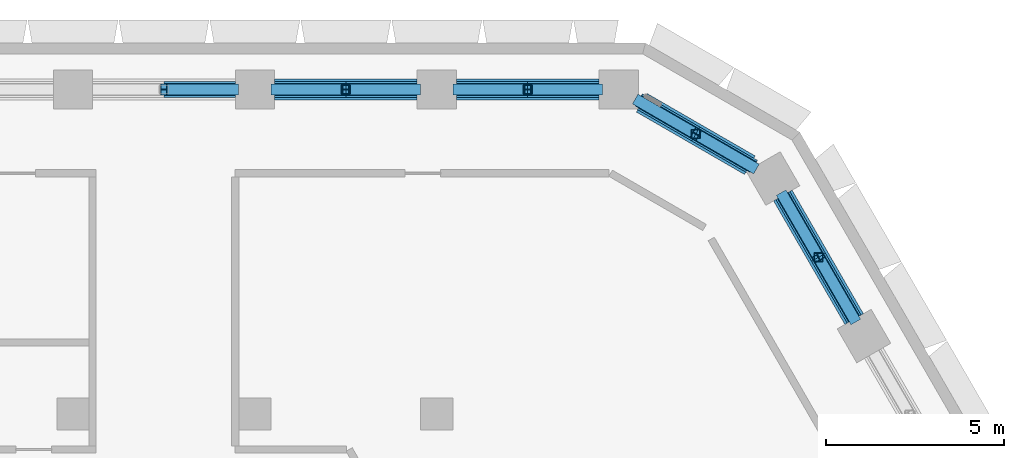
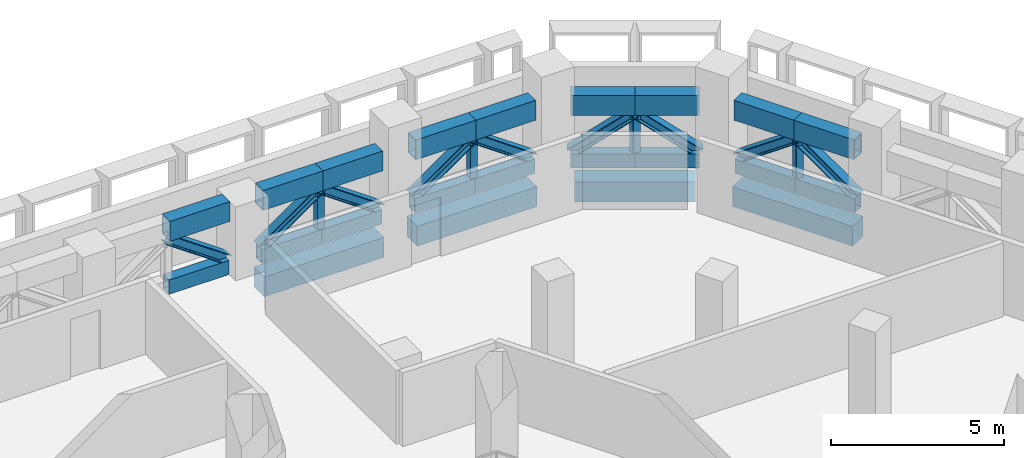
# One storey, part 9 of 22: 31 members, 4 beams.
"""IFC4 building model written with IfcOpenShell, lengths in metres."""

from ifc_helpers import new_model, si_unit, direction, frame, origin, origin_2d, place, context, subcontext, project, spatial, rectangle, hollow_rectangle, i_section, extrude, material, material_profile, profile_set, type_object, element, save


model = new_model("IFC4")

# Units and contexts
model_context = context("Model", 3, precision=1e-05, world=origin(), true_north=direction((0.0, 1.0)))
body_context = subcontext(model_context, "Body", "Model", "MODEL_VIEW")
ifc_project = project(units=[si_unit("LENGTHUNIT", "METRE"), si_unit("AREAUNIT", "SQUARE_METRE"), si_unit("VOLUMEUNIT", "CUBIC_METRE"), si_unit("PLANEANGLEUNIT", "RADIAN"), si_unit("MASSUNIT", "GRAM", prefix="KILO")], contexts=[model_context])

# Site, building, storey
site_placement = place(None, origin())
site = spatial("IfcSite", under=ifc_project, at=site_placement, CompositionType="ELEMENT")
building_placement = place(site_placement, origin())
building = spatial("IfcBuilding", under=site, at=building_placement, Name="Beryl Residences", CompositionType="ELEMENT")
storey_placement = place(building_placement, frame((0.0, 0.0, 62.39990234375)))
storey = spatial("IfcBuildingStorey", under=building, at=storey_placement, Name="L19", CompositionType="ELEMENT", Elevation=62.39990234375)

# Members
ifc_material_1 = material(Name="Steel S355", Category="steel")
ifc_material_profile_1 = material_profile(ifc_material_1, hollow_rectangle(XDim=0.35009765625, YDim=0.5, WallThickness=0.02490234375, at=origin_2d()))
ifc_profile_set_1 = profile_set([ifc_material_profile_1], Name="Steel S355")
member_type_1 = type_object("IfcMemberType", Name="BB1 belt truss bottom chord WB 500x350x25", PredefinedType="CHORD", material=ifc_profile_set_1)
for number, where, z_axis, x_axis, name in (
    (1, (12.208984375, 27.10009765625, 0.25), (-1.0, 0.0, 0.0), (0.0, -1.0, 0.0), "Belt truss BB1-N-0a L19"),
    (2, (10.20703125, 27.10009765625, 0.25), (-1.0, 0.0, 0.0), (0.0, -1.0, 0.0), "Belt truss BB1-N-0b L19"),
    (3, (7.10498046875, 27.10009765625, 0.25), (-1.0, 0.0, 0.0), (0.0, -1.0, 0.0), "Belt truss BB1-N-1a L19"),
    (4, (5.10302734375, 27.10009765625, 0.25), (-1.0, 0.0, 0.0), (0.0, -1.0, 0.0), "Belt truss BB1-N-1b L19"),
    (5, (2.0009765625, 27.10009765625, 0.25), (-1.0, 0.0, 0.0), (0.0, -1.0, 0.0), "Belt truss BB1-N-2a L19"),
):
    element("IfcMember", number, at=place(storey_placement, frame(where, z_axis=z_axis, x_axis=x_axis)), inside=storey, type_object=member_type_1, Name=name, PredefinedType="CHORD", context=body_context, shape_type="SweptSolid", body=[
        extrude(hollow_rectangle(XDim=0.35009765625, YDim=0.5, WallThickness=0.02490234375, at=origin_2d()), origin(), (0.0, 0.0, 1.0), 2.001953125),
    ])
for number, where, z_axis, x_axis, name in (
    (6, (19.365966796875, 20.656982421875, 0.25), (-0.499915960366, 0.866073918653, 0.0), (-0.866073918653, -0.499915960366, 0.0), "Belt truss BB1-NE-4a L19"),
    (7, (18.364990234375, 22.39111328125, 0.25), (-0.499968756647, 0.866043441391, 0.0), (-0.866043441391, -0.499968756647, 0.0), "Belt truss BB1-NE-4b L19"),
):
    element("IfcMember", number, at=place(storey_placement, frame(where, z_axis=z_axis, x_axis=x_axis)), inside=storey, type_object=member_type_1, Name=name, PredefinedType="CHORD", context=body_context, shape_type="SweptSolid", body=[
        extrude(hollow_rectangle(XDim=0.35009765625, YDim=0.5, WallThickness=0.02490234375, at=origin_2d()), origin(), (0.0, 0.0, 1.0), 2.002197265625),
    ])
member_1_placement = place(storey_placement, frame((16.5390625, 24.91796875, 0.25), z_axis=(-0.865865073245, 0.500277597875, 0.0), x_axis=(-0.500277597875, -0.865865073245, 0.0)))
element("IfcMember", 8, at=member_1_placement, inside=storey, type_object=member_type_1, Name="Belt truss BB1-NE-5a L19", PredefinedType="CHORD", context=body_context, shape_type="SweptSolid", body=[
    extrude(hollow_rectangle(XDim=0.35009765625, YDim=0.5, WallThickness=0.02490234375, at=origin_2d()), origin(), (0.0, 0.0, 1.0), 1.865234375),
])
member_2_placement = place(storey_placement, frame((14.924072265625, 25.85107421875, 0.25), z_axis=(-0.866148526014, 0.499786685381, 0.0), x_axis=(-0.499786685381, -0.866148526014, 0.0)))
element("IfcMember", 9, at=member_2_placement, inside=storey, type_object=member_type_1, Name="Belt truss BB1-NE-5b L19", PredefinedType="CHORD", context=body_context, shape_type="SweptSolid", body=[
    extrude(hollow_rectangle(XDim=0.35009765625, YDim=0.5, WallThickness=0.02490234375, at=origin_2d()), origin(), (0.0, 0.0, 1.0), 1.864501953125),
])
ifc_material_2 = material(Name="Steel S355", Category="steel")
ifc_material_profile_2 = material_profile(ifc_material_2, i_section(OverallWidth=0.31103515625, OverallDepth=0.326904296875, WebThickness=0.015625, FlangeThickness=0.02490234375, FilletRadius=0.0166015625, at=origin_2d()))
ifc_profile_set_2 = profile_set([ifc_material_profile_2], Name="Steel S355")
member_type_2 = type_object("IfcMemberType", Name="BD1 belt truss diagonal 310UC158", PredefinedType="BRACE", material=ifc_profile_set_2)
for number, where, z_axis, x_axis, name in (
    (10, (12.208984375, 27.10009765625, 0.5), (-0.81946659841, 0.0, 0.573126944132), (0.0, -1.0, 0.0), "Belt truss BD1-N-0a L19"),
    (11, (8.205078125, 27.10009765625, 0.5), (0.81946659841, 0.0, 0.573126944132), (0.0, 1.0, 0.0), "Belt truss BD1-N-0b L19"),
    (12, (7.10498046875, 27.10009765625, 0.5), (-0.81946659841, 0.0, 0.573126944132), (0.0, -1.0, 0.0), "Belt truss BD1-N-1a L19"),
    (13, (3.10107421875, 27.10009765625, 0.5), (0.81946659841, 0.0, 0.573126944132), (0.0, 1.0, 0.0), "Belt truss BD1-N-1b L19"),
    (14, (2.0009765625, 27.10009765625, 0.5), (-0.81946659841, 0.0, 0.573126944132), (0.0, -1.0, 0.0), "Belt truss BD1-N-2a L19"),
):
    element("IfcMember", number, at=place(storey_placement, frame(where, z_axis=z_axis, x_axis=x_axis)), inside=storey, type_object=member_type_2, Name=name, PredefinedType="BRACE", context=body_context, shape_type="SweptSolid", body=[
        extrude(i_section(OverallWidth=0.31103515625, OverallDepth=0.326904296875, WebThickness=0.015625, FlangeThickness=0.02490234375, FilletRadius=0.0166015625, at=origin_2d()), origin(), (0.0, 0.0, 1.0), 2.443115234375),
    ])
member_3_placement = place(storey_placement, frame((19.365966796875, 20.656982421875, 0.5), z_axis=(-0.409687048976, 0.709757831433, 0.573062250214), x_axis=(-0.866073918653, -0.499915960366, 0.0)))
element("IfcMember", 15, at=member_3_placement, inside=storey, type_object=member_type_2, Name="Belt truss BD1-NE-4a L19", PredefinedType="BRACE", context=body_context, shape_type="SweptSolid", body=[
    extrude(i_section(OverallWidth=0.31103515625, OverallDepth=0.326904296875, WebThickness=0.015625, FlangeThickness=0.02490234375, FilletRadius=0.0166015625, at=origin_2d()), origin(), (0.0, 0.0, 1.0), 2.443359375),
])
member_4_placement = place(storey_placement, frame((17.364013671875, 24.125, 0.5), z_axis=(0.409716105686, -0.709708239654, 0.573102894173), x_axis=(0.866043441391, 0.499968756647, 0.0)))
element("IfcMember", 16, at=member_4_placement, inside=storey, type_object=member_type_2, Name="Belt truss BD1-NE-4b L19", PredefinedType="BRACE", context=body_context, shape_type="SweptSolid", body=[
    extrude(i_section(OverallWidth=0.31103515625, OverallDepth=0.326904296875, WebThickness=0.015625, FlangeThickness=0.02490234375, FilletRadius=0.0166015625, at=origin_2d()), origin(), (0.0, 0.0, 1.0), 2.443115234375),
])
member_5_placement = place(storey_placement, frame((16.5390625, 24.91796875, 0.5), z_axis=(-0.692466575512, 0.400091799185, 0.60034706131), x_axis=(-0.500277597875, -0.865865073245, 0.0)))
element("IfcMember", 17, at=member_5_placement, inside=storey, type_object=member_type_2, Name="Belt truss BD1-NE-5a L19", PredefinedType="BRACE", context=body_context, shape_type="SweptSolid", body=[
    extrude(i_section(OverallWidth=0.31103515625, OverallDepth=0.326904296875, WebThickness=0.015625, FlangeThickness=0.02490234375, FilletRadius=0.0166015625, at=origin_2d()), origin(), (0.0, 0.0, 1.0), 2.332275390625),
])
member_6_placement = place(storey_placement, frame((13.30908203125, 26.782958984375, 0.5), z_axis=(0.692611535994, -0.39965203823, 0.600472737555), x_axis=(0.499786685381, 0.866148526014, 0.0)))
element("IfcMember", 18, at=member_6_placement, inside=storey, type_object=member_type_2, Name="Belt truss BD1-NE-5b L19", PredefinedType="BRACE", context=body_context, shape_type="SweptSolid", body=[
    extrude(i_section(OverallWidth=0.31103515625, OverallDepth=0.326904296875, WebThickness=0.015625, FlangeThickness=0.02490234375, FilletRadius=0.0166015625, at=origin_2d()), origin(), (0.0, 0.0, 1.0), 2.331787109375),
])
ifc_material_3 = material(Name="Steel S355", Category="steel")
ifc_material_profile_3 = material_profile(ifc_material_3, hollow_rectangle(XDim=0.25, YDim=0.25, WallThickness=0.009033203125, InnerFilletRadius=0.009033203125, OuterFilletRadius=0.01806640625, at=origin_2d()))
ifc_profile_set_3 = profile_set([ifc_material_profile_3], Name="Steel S355")
member_type_3 = type_object("IfcMemberType", Name="BQ1 belt truss post SHS 250x250x9", PredefinedType="POST", material=ifc_profile_set_3)
for number, where, z_axis, x_axis, name in (
    (19, (10.20703125, 27.10009765625, 0.5), (0.0, 0.0, 1.0), (1.0, 0.0, 0.0), "Belt truss BQ1-N-0 L19"),
    (20, (5.10302734375, 27.10009765625, 0.5), (0.0, 0.0, 1.0), (1.0, 0.0, 0.0), "Belt truss BQ1-N-1 L19"),
    (21, (18.364990234375, 22.39111328125, 0.5), (0.0, 0.0, 1.0), (1.0, 0.0, 0.0), "Belt truss BQ1-NE-4 L19"),
    (22, (14.924072265625, 25.85107421875, 0.5), (0.0, 0.0, 1.0), (1.0, 0.0, 0.0), "Belt truss BQ1-NE-5 L19"),
):
    element("IfcMember", number, at=place(storey_placement, frame(where, z_axis=z_axis, x_axis=x_axis)), inside=storey, type_object=member_type_3, Name=name, PredefinedType="POST", context=body_context, shape_type="SweptSolid", body=[
        extrude(hollow_rectangle(XDim=0.25, YDim=0.25, WallThickness=0.009033203125, InnerFilletRadius=0.009033203125, OuterFilletRadius=0.01806640625, at=origin_2d()), origin(), (0.0, 0.0, 1.0), 1.400146484375),
    ])
ifc_material_4 = material(Name="Steel S355", Category="steel")
ifc_material_profile_4 = material_profile(ifc_material_4, hollow_rectangle(XDim=0.449951171875, YDim=0.699951171875, WallThickness=0.034912109375, at=origin_2d()))
ifc_profile_set_4 = profile_set([ifc_material_profile_4], Name="Steel S355")
member_type_4 = type_object("IfcMemberType", Name="BT1 belt truss top chord WB 700x450x35", PredefinedType="CHORD", material=ifc_profile_set_4)
for number, where, z_axis, x_axis, name in (
    (23, (12.208984375, 27.10009765625, 2.25), (-1.0, 0.0, 0.0), (0.0, -1.0, 0.0), "Belt truss BT1-N-0a L19"),
    (24, (10.20703125, 27.10009765625, 2.25), (-1.0, 0.0, 0.0), (0.0, -1.0, 0.0), "Belt truss BT1-N-0b L19"),
    (25, (7.10498046875, 27.10009765625, 2.25), (-1.0, 0.0, 0.0), (0.0, -1.0, 0.0), "Belt truss BT1-N-1a L19"),
    (26, (5.10302734375, 27.10009765625, 2.25), (-1.0, 0.0, 0.0), (0.0, -1.0, 0.0), "Belt truss BT1-N-1b L19"),
    (27, (2.0009765625, 27.10009765625, 2.25), (-1.0, 0.0, 0.0), (0.0, -1.0, 0.0), "Belt truss BT1-N-2a L19"),
):
    element("IfcMember", number, at=place(storey_placement, frame(where, z_axis=z_axis, x_axis=x_axis)), inside=storey, type_object=member_type_4, Name=name, PredefinedType="CHORD", context=body_context, shape_type="SweptSolid", body=[
        extrude(hollow_rectangle(XDim=0.449951171875, YDim=0.699951171875, WallThickness=0.034912109375, at=origin_2d()), origin(), (0.0, 0.0, 1.0), 2.001953125),
    ])
for number, where, z_axis, x_axis, name in (
    (28, (19.365966796875, 20.656982421875, 2.25), (-0.499915960366, 0.866073918653, 0.0), (-0.866073918653, -0.499915960366, 0.0), "Belt truss BT1-NE-4a L19"),
    (29, (18.364990234375, 22.39111328125, 2.25), (-0.499968756647, 0.866043441391, 0.0), (-0.866043441391, -0.499968756647, 0.0), "Belt truss BT1-NE-4b L19"),
):
    element("IfcMember", number, at=place(storey_placement, frame(where, z_axis=z_axis, x_axis=x_axis)), inside=storey, type_object=member_type_4, Name=name, PredefinedType="CHORD", context=body_context, shape_type="SweptSolid", body=[
        extrude(hollow_rectangle(XDim=0.449951171875, YDim=0.699951171875, WallThickness=0.034912109375, at=origin_2d()), origin(), (0.0, 0.0, 1.0), 2.002197265625),
    ])
member_7_placement = place(storey_placement, frame((16.5390625, 24.91796875, 2.25), z_axis=(-0.865865073245, 0.500277597875, 0.0), x_axis=(-0.500277597875, -0.865865073245, 0.0)))
element("IfcMember", 30, at=member_7_placement, inside=storey, type_object=member_type_4, Name="Belt truss BT1-NE-5a L19", PredefinedType="CHORD", context=body_context, shape_type="SweptSolid", body=[
    extrude(hollow_rectangle(XDim=0.449951171875, YDim=0.699951171875, WallThickness=0.034912109375, at=origin_2d()), origin(), (0.0, 0.0, 1.0), 1.865234375),
])
member_8_placement = place(storey_placement, frame((14.924072265625, 25.85107421875, 2.25), z_axis=(-0.866148526014, 0.499786685381, 0.0), x_axis=(-0.499786685381, -0.866148526014, 0.0)))
element("IfcMember", 31, at=member_8_placement, inside=storey, type_object=member_type_4, Name="Belt truss BT1-NE-5b L19", PredefinedType="CHORD", context=body_context, shape_type="SweptSolid", body=[
    extrude(hollow_rectangle(XDim=0.449951171875, YDim=0.699951171875, WallThickness=0.034912109375, at=origin_2d()), origin(), (0.0, 0.0, 1.0), 1.864501953125),
])

# Beams
ifc_material_5 = material(Name="Concrete C80/95", Category="concrete")
ifc_material_profile_5 = material_profile(ifc_material_5, rectangle(XDim=0.60009765625, YDim=0.699951171875, at=origin_2d()))
ifc_profile_set_5 = profile_set([ifc_material_profile_5], Name="Concrete C80/95")
beam_type = type_object("IfcBeamType", Name="SB1 spandrel beam 600 x 700 C80/95", PredefinedType="SPANDREL", material=ifc_profile_set_5)
for number, where, z_axis, x_axis, name in (
    (32, (12.208984375, 27.10009765625, -0.75), (-1.0, 0.0, 0.0), (0.0, -1.0, 0.0), "SB1 L19 N-0"),
    (33, (7.10498046875, 27.10009765625, -0.75), (-1.0, 0.0, 0.0), (0.0, -1.0, 0.0), "SB1 L19 N-1"),
):
    element("IfcBeam", number, at=place(storey_placement, frame(where, z_axis=z_axis, x_axis=x_axis)), inside=storey, type_object=beam_type, Name=name, PredefinedType="SPANDREL", context=body_context, shape_type="SweptSolid", body=[
        extrude(rectangle(XDim=0.60009765625, YDim=0.699951171875, at=origin_2d()), origin(), (0.0, 0.0, 1.0), 4.00390625),
    ])
beam_1_placement = place(storey_placement, frame((19.365966796875, 20.656982421875, -0.75), z_axis=(-0.499942357345, 0.866058681229, 0.0), x_axis=(-0.866058681229, -0.499942357345, 0.0)))
element("IfcBeam", 34, at=beam_1_placement, inside=storey, type_object=beam_type, Name="SB1 L19 NE-4", PredefinedType="SPANDREL", context=body_context, shape_type="SweptSolid", body=[
    extrude(rectangle(XDim=0.60009765625, YDim=0.699951171875, at=origin_2d()), origin(), (0.0, 0.0, 1.0), 4.00439453125),
])
beam_2_placement = place(storey_placement, frame((16.43896484375, 24.97607421875, -0.75), z_axis=(-0.866070549782, 0.499921796684, 0.0), x_axis=(-0.499921796684, -0.866070549782, 0.0)))
element("IfcBeam", 35, at=beam_2_placement, inside=storey, type_object=beam_type, Name="SB1 L19 NE-5", PredefinedType="SPANDREL", context=body_context, shape_type="SweptSolid", body=[
    extrude(rectangle(XDim=0.60009765625, YDim=0.699951171875, at=origin_2d()), origin(), (0.0, 0.0, 1.0), 3.49853515625),
])

save(model, "model.ifc")
